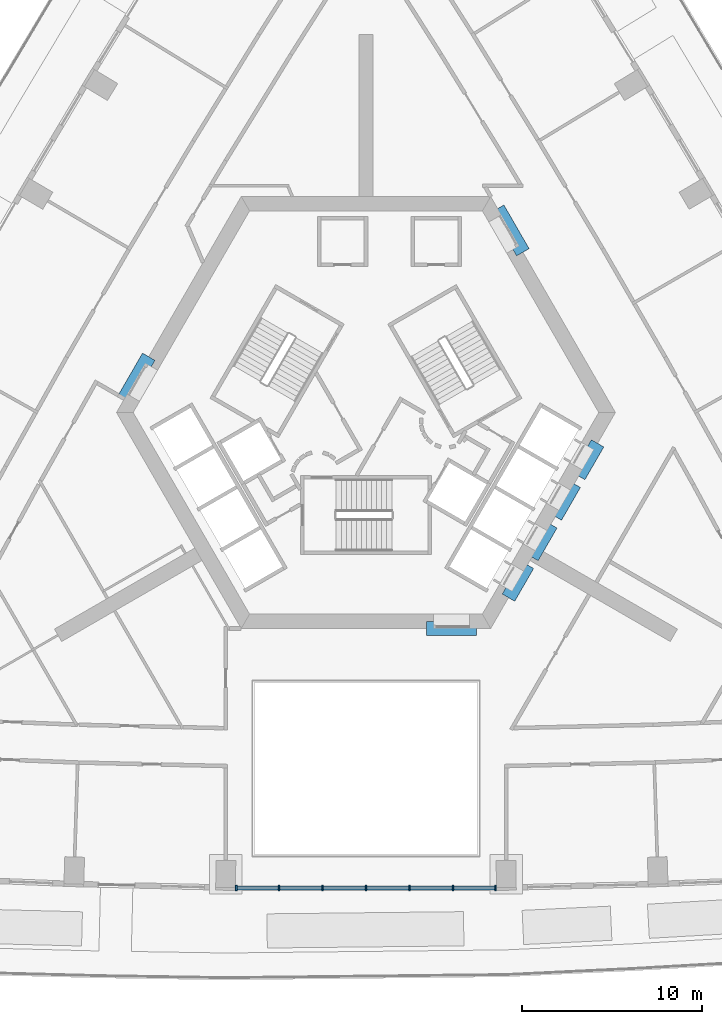
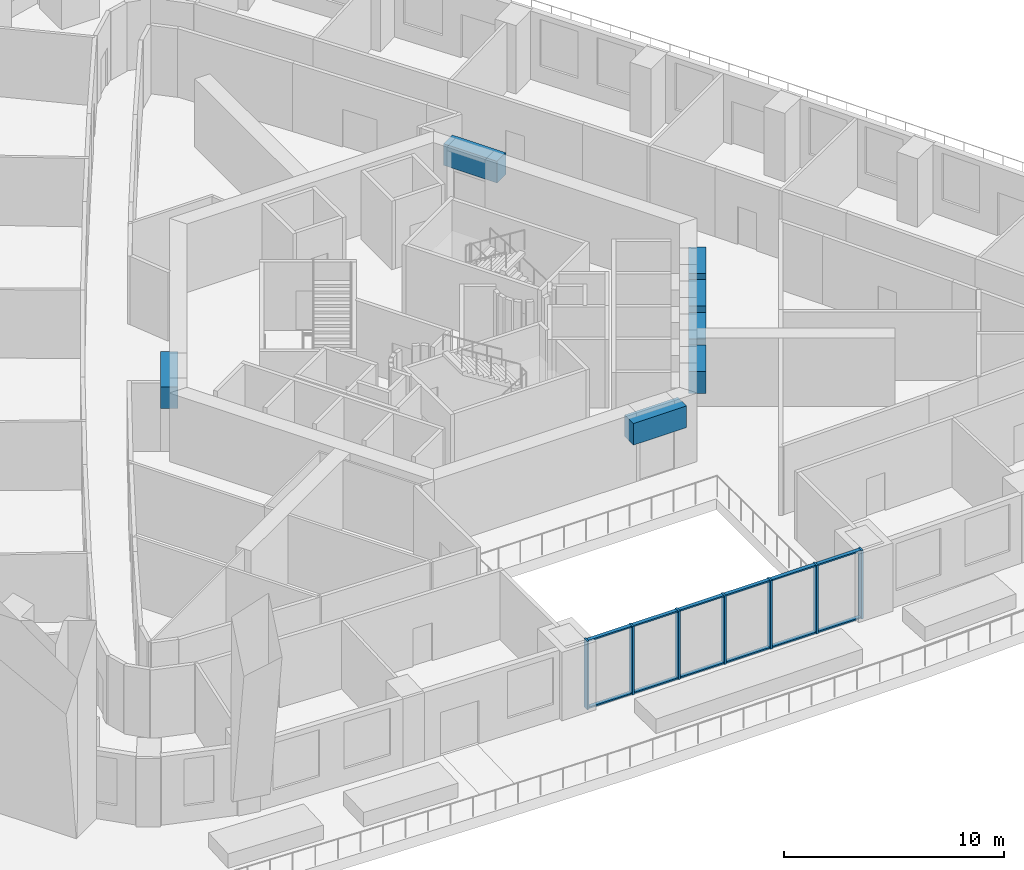
# One storey, part 2 of 16: 19 members, 7 beams, 1 element without a shape of its own.
"""IFC4 building model written with IfcOpenShell, lengths in metres."""

import ifcopenshell
import ifcopenshell.guid

model = None  # the IFC model being written
_history = None  # IfcOwnerHistory: only IFC2X3 demands one
_inside = {}  # id of a spatial element -> (the spatial element, [elements in it])
_under = {}  # id of a project, library or spatial element -> (it, [spatial elements below it])
_declared = {}  # id of a project -> (the project, [libraries it declares])
_typed = {}  # id of a type object -> (the type object, [elements of that type])
_made_of = {}  # id of a material, layer set ... -> (it, [elements and type objects made of it])


def new_model(schema):
    """Start an empty IFC model of exactly this schema.

    Asked for "IFC4X3", IfcOpenShell would pick the latest addendum, in which some entities
    have other attributes; the version numbers below select the first issue.
    IFC2X3 requires an IfcOwnerHistory on every rooted entity: one is made here for all.
    """
    global model, _history
    if schema == "IFC4X3":
        model = ifcopenshell.file(schema_version=(4, 3, 0, 0))
    else:
        model = ifcopenshell.file(schema=schema)
    _inside.clear()
    _under.clear()
    _declared.clear()
    _typed.clear()
    _made_of.clear()
    _history = None
    if model.schema == "IFC2X3":
        org = make("IfcOrganization", Name="unknown")
        user = make(
            "IfcPersonAndOrganization",
            ThePerson=make("IfcPerson", FamilyName="unknown"),
            TheOrganization=org,
        )
        app = make(
            "IfcApplication",
            ApplicationDeveloper=org,
            Version="unknown",
            ApplicationFullName="unknown",
            ApplicationIdentifier="unknown",
        )
        _history = make(
            "IfcOwnerHistory",
            OwningUser=user,
            OwningApplication=app,
            ChangeAction="ADDED",
            CreationDate=0,
        )
    return model


def make(cls, **values):
    """One entity of the class cls with the attributes given. An attribute that is None is left unset."""
    return model.create_entity(
        cls, **{name: value for name, value in values.items() if value is not None}
    )


def rooted(cls, **values):
    """An entity with a GlobalId (a new one), such as an element, a storey or a relation."""
    return make(cls, GlobalId=ifcopenshell.guid.new(), OwnerHistory=_history, **values)


def si_unit(unit_type, name, prefix=None):
    """IfcSIUnit, for example si_unit("LENGTHUNIT", "METRE", prefix="MILLI")."""
    return make("IfcSIUnit", UnitType=unit_type, Prefix=prefix, Name=name)


def assignment(units):
    """IfcUnitAssignment: the units of a project."""
    return None if units is None else make("IfcUnitAssignment", Units=units)


def point(xyz):
    """IfcCartesianPoint."""
    return None if xyz is None else make("IfcCartesianPoint", Coordinates=xyz)


def direction(xyz):
    """IfcDirection."""
    return None if xyz is None else make("IfcDirection", DirectionRatios=xyz)


def frame(location, z_axis=None, x_axis=None):
    """IfcAxis2Placement3D, a coordinate frame: its origin and axes. An axis left out is left unset."""
    return make(
        "IfcAxis2Placement3D",
        Location=point(location),
        Axis=direction(z_axis),
        RefDirection=direction(x_axis),
    )


def frame_2d(location, x_axis=None):
    """IfcAxis2Placement2D, a coordinate frame in the plane: its origin and x axis."""
    return make(
        "IfcAxis2Placement2D", Location=point(location), RefDirection=direction(x_axis)
    )


def origin():
    """The frame at (0, 0, 0) with its axes left unset."""
    return frame((0.0, 0.0, 0.0))


def origin_2d():
    """The frame at (0, 0) in the plane with its x axis left unset."""
    return frame_2d((0.0, 0.0))


def place(relative_to, where):
    """IfcLocalPlacement: puts the frame where relative to a parent placement (None: the world)."""
    return make(
        "IfcLocalPlacement", PlacementRelTo=relative_to, RelativePlacement=where
    )


def context(
    kind, dimensions, precision=None, world=None, true_north=None, identifier=None
):
    """IfcGeometricRepresentationContext, for example the 3D "Model" context."""
    return make(
        "IfcGeometricRepresentationContext",
        ContextIdentifier=identifier,
        ContextType=kind,
        CoordinateSpaceDimension=dimensions,
        Precision=precision,
        WorldCoordinateSystem=world,
        TrueNorth=true_north,
    )


def subcontext(parent, identifier, kind, view, scale=None):
    """IfcGeometricRepresentationSubContext, for example "Body" below "Model"."""
    return make(
        "IfcGeometricRepresentationSubContext",
        ContextIdentifier=identifier,
        ContextType=kind,
        ParentContext=parent,
        TargetScale=scale,
        TargetView=view,
    )


def project(units=None, contexts=None):
    """IfcProject with its units and contexts."""
    return rooted(
        "IfcProject",
        Name="project",
        RepresentationContexts=contexts,
        UnitsInContext=assignment(units),
    )


def spatial(cls, under=None, at=None, **own):
    """A site, building, storey or space (cls), placed at a placement, below another one or the project."""
    s = rooted(cls, ObjectPlacement=at, **own)
    if under is not None:
        _under.setdefault(under.id(), (under, []))[1].append(s)
    return s


def profile(cls, at=None, kind="AREA", **sizes):
    """A parametric profile (cls). Its sizes go by their IFC names, for example OverallWidth=200.0."""
    return make(cls, ProfileType=kind, Position=at, **sizes)


def rectangle(**sizes):
    """IfcRectangleProfileDef."""
    return profile("IfcRectangleProfileDef", **sizes)


def extrude(swept, where, along, depth):
    """IfcExtrudedAreaSolid: the profile swept, set in the frame where, extruded along a direction by depth."""
    return make(
        "IfcExtrudedAreaSolid",
        SweptArea=swept,
        Position=where,
        ExtrudedDirection=direction(along),
        Depth=depth,
    )


def shape(context_of_items, identifier, shape_type, items):
    """IfcShapeRepresentation: the items that make up one representation, for example the "Body"."""
    return make(
        "IfcShapeRepresentation",
        ContextOfItems=context_of_items,
        RepresentationIdentifier=identifier,
        RepresentationType=shape_type,
        Items=items,
    )


def material(Name=None, Category=None):
    """IfcMaterial."""
    return make("IfcMaterial", Name=Name, Category=Category)


def material_profile(
    of_material, cross_section, Name=None, Category=None, Priority=None
):
    """IfcMaterialProfile: a cross section and its material."""
    return make(
        "IfcMaterialProfile",
        Name=Name,
        Material=of_material,
        Profile=cross_section,
        Priority=Priority,
        Category=Category,
    )


def profile_set(profiles, Name=None, composite=None):
    """IfcMaterialProfileSet."""
    return make(
        "IfcMaterialProfileSet",
        Name=Name,
        MaterialProfiles=profiles,
        CompositeProfile=composite,
    )


def made_of(thing, what):
    """Note that an element or type object is made of a material, layer set ...; save() writes the relation."""
    if what is not None:
        _made_of.setdefault(what.id(), (what, []))[1].append(thing)
    return thing


def type_object(cls, material=None, **own):
    """A type object (cls), such as IfcWallType, which elements share."""
    return made_of(rooted(cls, **own), material)


def element(
    cls,
    number,
    at=None,
    inside=None,
    cuts=None,
    type_object=None,
    material=None,
    context=None,
    identifier="Body",
    shape_type=None,
    held_by="IfcProductDefinitionShape",
    body=None,
    shapes=None,
    **own,
):
    """One element of the class cls, such as IfcWall. Its Tag is "e" and its number.

    at: its placement. inside: the storey or other place that contains it. cuts: it is an
    opening in that element (IfcRelVoidsElement). A single representation is given by context,
    identifier, shape_type and body (its items); several are given by shapes. held_by: the class
    of the entity that holds the representations. save() writes the other relations.
    """
    e = rooted(cls, Tag="e%d" % number, ObjectPlacement=at, **own)
    if body is not None:
        shapes = [shape(context, identifier, shape_type, body)]
    if shapes is not None:
        e.Representation = make(held_by, Representations=shapes)
    if inside is not None:
        _inside.setdefault(inside.id(), (inside, []))[1].append(e)
    if cuts is not None:
        rooted(
            "IfcRelVoidsElement", RelatingBuildingElement=cuts, RelatedOpeningElement=e
        )
    if type_object is not None:
        _typed.setdefault(type_object.id(), (type_object, []))[1].append(e)
    return made_of(e, material)


def aggregate(whole, parts):
    """IfcRelAggregates: a whole, such as a stair, and the parts it consists of."""
    return rooted("IfcRelAggregates", RelatingObject=whole, RelatedObjects=parts)


def save(model, path):
    """Write the relations noted so far, then the file.

    IfcRelAggregates (storeys below a building ...), IfcRelContainedInSpatialStructure (elements
    in a storey), IfcRelDefinesByType, IfcRelAssociatesMaterial and IfcRelDeclares: one each for
    every whole, place, type object, material and project.
    """
    for whole, parts in _under.values():
        aggregate(whole, parts)
    for where, things in _inside.values():
        rooted(
            "IfcRelContainedInSpatialStructure",
            RelatedElements=things,
            RelatingStructure=where,
        )
    for kind, things in _typed.values():
        rooted("IfcRelDefinesByType", RelatedObjects=things, RelatingType=kind)
    for what, things in _made_of.values():
        rooted("IfcRelAssociatesMaterial", RelatedObjects=things, RelatingMaterial=what)
    for by, libraries in _declared.values():
        rooted("IfcRelDeclares", RelatingContext=by, RelatedDefinitions=libraries)
    model.write(path)


model = new_model("IFC4")

# Units and contexts
model_context = context("Model", 3, precision=1e-05, world=origin(), true_north=direction((0.0, 1.0)))
body_context = subcontext(model_context, "Body", "Model", "MODEL_VIEW")
ifc_project = project(units=[si_unit("LENGTHUNIT", "METRE"), si_unit("AREAUNIT", "SQUARE_METRE"), si_unit("VOLUMEUNIT", "CUBIC_METRE"), si_unit("PLANEANGLEUNIT", "RADIAN"), si_unit("MASSUNIT", "GRAM", prefix="KILO")], contexts=[model_context])

# Site, building, storey
site_placement = place(None, origin())
site = spatial("IfcSite", under=ifc_project, at=site_placement, CompositionType="ELEMENT")
building_placement = place(site_placement, origin())
building = spatial("IfcBuilding", under=site, at=building_placement, Name="Entoto Arch Interchange Tower", CompositionType="ELEMENT")
storey_placement = place(building_placement, frame((0.0, 0.0, 138.199951171875)))
storey = spatial("IfcBuildingStorey", under=building, at=storey_placement, Name="L30", CompositionType="ELEMENT", Elevation=138.199951171875)

# Beams
ifc_material_1 = material(Name="Concrete C50/60", Category="concrete")
ifc_material_profile_1 = material_profile(ifc_material_1, rectangle(XDim=0.800048828125, YDim=1.199951171875, at=origin_2d()))
ifc_profile_set_1 = profile_set([ifc_material_profile_1], Name="Concrete C50/60")
beam_type = type_object("IfcBeamType", Name="Coupling beam RC 800x1200 C50/60", PredefinedType="BEAM", material=ifc_profile_set_1)
for number, where, z_axis, x_axis, name in (
    (1, (8.717041015625, 11.402099609375, 3.0), (-0.500200581029, 0.865909567298, 0.0), (-0.865909567298, -0.500200581029, 0.0), "Coupling beam NE L30"),
    (2, (-12.06689453125, 5.597900390625, 3.0), (-0.500200581029, -0.865909567298, 0.0), (0.865909567298, -0.500200581029, 0.0), "Coupling beam NW L30"),
):
    element("IfcBeam", number, at=place(storey_placement, frame(where, z_axis=z_axis, x_axis=x_axis)), inside=storey, type_object=beam_type, Name=name, PredefinedType="BEAM", context=body_context, shape_type="SweptSolid", body=[
        extrude(rectangle(XDim=0.800048828125, YDim=1.199951171875, at=origin_2d()), origin(), (0.0, 0.0, 1.0), 2.799072265625),
    ])
beam_1_placement = place(storey_placement, frame((3.35009765625, -9.5, 3.0), z_axis=(1.0, 0.0, 0.0), x_axis=(0.0, 1.0, 0.0)))
element("IfcBeam", 3, at=beam_1_placement, inside=storey, type_object=beam_type, Name="Coupling beam S L30", PredefinedType="BEAM", context=body_context, shape_type="SweptSolid", body=[
    extrude(rectangle(XDim=0.800048828125, YDim=1.199951171875, at=origin_2d()), origin(), (0.0, 0.0, 1.0), 2.7998046875),
])
for number, where, z_axis, x_axis, name in (
    (4, (7.9169921875, -7.785888671875, 3.0), (0.500178781653, 0.865922159541, 0.0), (-0.865922159541, 0.500178781653, 0.0), "Coupling beam SE L30"),
    (5, (9.217041015625, -5.534912109375, 3.0), (0.500178781653, 0.865922159541, 0.0), (-0.865922159541, 0.500178781653, 0.0), "Coupling beam SE L30"),
):
    element("IfcBeam", number, at=place(storey_placement, frame(where, z_axis=z_axis, x_axis=x_axis)), inside=storey, type_object=beam_type, Name=name, PredefinedType="BEAM", context=body_context, shape_type="SweptSolid", body=[
        extrude(rectangle(XDim=0.800048828125, YDim=1.199951171875, at=origin_2d()), origin(), (0.0, 0.0, 1.0), 2.099365234375),
    ])
beam_2_placement = place(storey_placement, frame((10.51708984375, -3.282958984375, 3.0), z_axis=(0.500091574638, 0.865972526687, 0.0), x_axis=(-0.865972526687, 0.500091574638, 0.0)))
element("IfcBeam", 6, at=beam_2_placement, inside=storey, type_object=beam_type, Name="Coupling beam SE L30", PredefinedType="BEAM", context=body_context, shape_type="SweptSolid", body=[
    extrude(rectangle(XDim=0.800048828125, YDim=1.199951171875, at=origin_2d()), origin(), (0.0, 0.0, 1.0), 2.09912109375),
])
beam_3_placement = place(storey_placement, frame((11.81689453125, -1.031982421875, 3.0), z_axis=(0.500178781653, 0.865922159541, 0.0), x_axis=(-0.865922159541, 0.500178781653, 0.0)))
element("IfcBeam", 7, at=beam_3_placement, inside=storey, type_object=beam_type, Name="Coupling beam SE L30", PredefinedType="BEAM", context=body_context, shape_type="SweptSolid", body=[
    extrude(rectangle(XDim=0.800048828125, YDim=1.199951171875, at=origin_2d()), origin(), (0.0, 0.0, 1.0), 2.099365234375),
])

# Curtain wall, members
ifc_material_2 = material(Name="Aluminium, anodised", Category="aluminium")
curtain_wall_type = type_object("IfcCurtainWallType", Name="CURTAIN WALL ATRIUM", PredefinedType="NOTDEFINED", material=ifc_material_2)
curtain_wall_placement = place(storey_placement, origin())
curtain_wall = element("IfcCurtainWall", 8, at=curtain_wall_placement, inside=storey, type_object=curtain_wall_type, Name="Atrium glazing S-03 L30", PredefinedType="NOTDEFINED")
ifc_material_profile_2 = material_profile(ifc_material_2, rectangle(XDim=0.300048828125, YDim=0.10009765625, at=origin_2d()))
ifc_profile_set_2 = profile_set([ifc_material_profile_2], Name="Aluminium, anodised")
member_type_1 = type_object("IfcMemberType", Name="MULLION ATRIUM 100x300", PredefinedType="MULLION", material=ifc_profile_set_2)
member_1_placement = place(storey_placement, frame((-7.198974609375, -23.916015625, 0.0), z_axis=(0.0, 0.0, 1.0), x_axis=(0.0, 1.0, 0.0)))
member_1 = element("IfcMember", 9, at=member_1_placement, type_object=member_type_1, Name="CWA mullion 1", PredefinedType="MULLION", context=body_context, shape_type="SweptSolid", body=[
    extrude(rectangle(XDim=0.300048828125, YDim=0.10009765625, at=origin_2d()), origin(), (0.0, 0.0, 1.0), 3.800048828125),
])
member_2_placement = place(storey_placement, frame((-4.832763671875, -23.916015625, 0.0), z_axis=(0.0, 0.0, 1.0), x_axis=(0.0, 1.0, 0.0)))
member_2 = element("IfcMember", 10, at=member_2_placement, type_object=member_type_1, Name="CWA mullion 2", PredefinedType="MULLION", context=body_context, shape_type="SweptSolid", body=[
    extrude(rectangle(XDim=0.300048828125, YDim=0.10009765625, at=origin_2d()), origin(), (0.0, 0.0, 1.0), 3.800048828125),
])
member_3_placement = place(storey_placement, frame((-2.416259765625, -23.916015625, 0.0), z_axis=(0.0, 0.0, 1.0), x_axis=(0.0, 1.0, 0.0)))
member_3 = element("IfcMember", 11, at=member_3_placement, type_object=member_type_1, Name="CWA mullion 3", PredefinedType="MULLION", context=body_context, shape_type="SweptSolid", body=[
    extrude(rectangle(XDim=0.300048828125, YDim=0.10009765625, at=origin_2d()), origin(), (0.0, 0.0, 1.0), 3.800048828125),
])
member_4_placement = place(storey_placement, frame((0.0, -23.916015625, 0.0), z_axis=(0.0, 0.0, 1.0), x_axis=(0.0, 1.0, 0.0)))
member_4 = element("IfcMember", 12, at=member_4_placement, type_object=member_type_1, Name="CWA mullion 4", PredefinedType="MULLION", context=body_context, shape_type="SweptSolid", body=[
    extrude(rectangle(XDim=0.300048828125, YDim=0.10009765625, at=origin_2d()), origin(), (0.0, 0.0, 1.0), 3.800048828125),
])
member_5_placement = place(storey_placement, frame((2.416259765625, -23.916015625, 0.0), z_axis=(0.0, 0.0, 1.0), x_axis=(0.0, 1.0, 0.0)))
member_5 = element("IfcMember", 13, at=member_5_placement, type_object=member_type_1, Name="CWA mullion 5", PredefinedType="MULLION", context=body_context, shape_type="SweptSolid", body=[
    extrude(rectangle(XDim=0.300048828125, YDim=0.10009765625, at=origin_2d()), origin(), (0.0, 0.0, 1.0), 3.800048828125),
])
member_6_placement = place(storey_placement, frame((4.832763671875, -23.916015625, 0.0), z_axis=(0.0, 0.0, 1.0), x_axis=(0.0, 1.0, 0.0)))
member_6 = element("IfcMember", 14, at=member_6_placement, type_object=member_type_1, Name="CWA mullion 6", PredefinedType="MULLION", context=body_context, shape_type="SweptSolid", body=[
    extrude(rectangle(XDim=0.300048828125, YDim=0.10009765625, at=origin_2d()), origin(), (0.0, 0.0, 1.0), 3.800048828125),
])
member_7_placement = place(storey_placement, frame((7.198974609375, -23.916015625, 0.0), z_axis=(0.0, 0.0, 1.0), x_axis=(0.0, 1.0, 0.0)))
member_7 = element("IfcMember", 15, at=member_7_placement, type_object=member_type_1, Name="CWA mullion 7", PredefinedType="MULLION", context=body_context, shape_type="SweptSolid", body=[
    extrude(rectangle(XDim=0.300048828125, YDim=0.10009765625, at=origin_2d()), origin(), (0.0, 0.0, 1.0), 3.800048828125),
])
ifc_material_profile_3 = material_profile(ifc_material_2, rectangle(XDim=0.199951171875, YDim=0.080078125, at=origin_2d()))
ifc_profile_set_3 = profile_set([ifc_material_profile_3], Name="Aluminium, anodised")
member_type_2 = type_object("IfcMemberType", Name="TRANSOM ATRIUM 80x200", PredefinedType="USERDEFINED", material=ifc_profile_set_3)
member_8_placement = place(storey_placement, frame((-7.14892578125, -23.916015625, 0.0400390625), z_axis=(1.0, 0.0, 0.0), x_axis=(0.0, 1.0, 0.0)))
member_8 = element("IfcMember", 16, at=member_8_placement, type_object=member_type_2, Name="CWA transom 1.1", ObjectType="TRANSOM", PredefinedType="USERDEFINED", context=body_context, shape_type="SweptSolid", body=[
    extrude(rectangle(XDim=0.199951171875, YDim=0.080078125, at=origin_2d()), origin(), (0.0, 0.0, 1.0), 2.266357421875),
])
member_9_placement = place(storey_placement, frame((-7.14892578125, -23.916015625, 3.760009765625), z_axis=(1.0, 0.0, 0.0), x_axis=(0.0, 1.0, 0.0)))
member_9 = element("IfcMember", 17, at=member_9_placement, type_object=member_type_2, Name="CWA transom 1.2", ObjectType="TRANSOM", PredefinedType="USERDEFINED", context=body_context, shape_type="SweptSolid", body=[
    extrude(rectangle(XDim=0.199951171875, YDim=0.080078125, at=origin_2d()), origin(), (0.0, 0.0, 1.0), 2.266357421875),
])
member_10_placement = place(storey_placement, frame((-4.78271484375, -23.916015625, 0.0400390625), z_axis=(1.0, 0.0, 0.0), x_axis=(0.0, 1.0, 0.0)))
member_10 = element("IfcMember", 18, at=member_10_placement, type_object=member_type_2, Name="CWA transom 2.1", ObjectType="TRANSOM", PredefinedType="USERDEFINED", context=body_context, shape_type="SweptSolid", body=[
    extrude(rectangle(XDim=0.199951171875, YDim=0.080078125, at=origin_2d()), origin(), (0.0, 0.0, 1.0), 2.31640625),
])
member_11_placement = place(storey_placement, frame((-4.78271484375, -23.916015625, 3.760009765625), z_axis=(1.0, 0.0, 0.0), x_axis=(0.0, 1.0, 0.0)))
member_11 = element("IfcMember", 19, at=member_11_placement, type_object=member_type_2, Name="CWA transom 2.2", ObjectType="TRANSOM", PredefinedType="USERDEFINED", context=body_context, shape_type="SweptSolid", body=[
    extrude(rectangle(XDim=0.199951171875, YDim=0.080078125, at=origin_2d()), origin(), (0.0, 0.0, 1.0), 2.31640625),
])
member_12_placement = place(storey_placement, frame((-2.366455078125, -23.916015625, 0.0400390625), z_axis=(1.0, 0.0, 0.0), x_axis=(0.0, 1.0, 0.0)))
member_12 = element("IfcMember", 20, at=member_12_placement, type_object=member_type_2, Name="CWA transom 3.1", ObjectType="TRANSOM", PredefinedType="USERDEFINED", context=body_context, shape_type="SweptSolid", body=[
    extrude(rectangle(XDim=0.199951171875, YDim=0.080078125, at=origin_2d()), origin(), (0.0, 0.0, 1.0), 2.31640625),
])
member_13_placement = place(storey_placement, frame((-2.366455078125, -23.916015625, 3.760009765625), z_axis=(1.0, 0.0, 0.0), x_axis=(0.0, 1.0, 0.0)))
member_13 = element("IfcMember", 21, at=member_13_placement, type_object=member_type_2, Name="CWA transom 3.2", ObjectType="TRANSOM", PredefinedType="USERDEFINED", context=body_context, shape_type="SweptSolid", body=[
    extrude(rectangle(XDim=0.199951171875, YDim=0.080078125, at=origin_2d()), origin(), (0.0, 0.0, 1.0), 2.31640625),
])
member_14_placement = place(storey_placement, frame((0.050048828125, -23.916015625, 0.0400390625), z_axis=(1.0, 0.0, 0.0), x_axis=(0.0, 1.0, 0.0)))
member_14 = element("IfcMember", 22, at=member_14_placement, type_object=member_type_2, Name="CWA transom 4.1", ObjectType="TRANSOM", PredefinedType="USERDEFINED", context=body_context, shape_type="SweptSolid", body=[
    extrude(rectangle(XDim=0.199951171875, YDim=0.080078125, at=origin_2d()), origin(), (0.0, 0.0, 1.0), 2.31640625),
])
member_15_placement = place(storey_placement, frame((0.050048828125, -23.916015625, 3.760009765625), z_axis=(1.0, 0.0, 0.0), x_axis=(0.0, 1.0, 0.0)))
member_15 = element("IfcMember", 23, at=member_15_placement, type_object=member_type_2, Name="CWA transom 4.2", ObjectType="TRANSOM", PredefinedType="USERDEFINED", context=body_context, shape_type="SweptSolid", body=[
    extrude(rectangle(XDim=0.199951171875, YDim=0.080078125, at=origin_2d()), origin(), (0.0, 0.0, 1.0), 2.31640625),
])
member_16_placement = place(storey_placement, frame((2.46630859375, -23.916015625, 0.0400390625), z_axis=(1.0, 0.0, 0.0), x_axis=(0.0, 1.0, 0.0)))
member_16 = element("IfcMember", 24, at=member_16_placement, type_object=member_type_2, Name="CWA transom 5.1", ObjectType="TRANSOM", PredefinedType="USERDEFINED", context=body_context, shape_type="SweptSolid", body=[
    extrude(rectangle(XDim=0.199951171875, YDim=0.080078125, at=origin_2d()), origin(), (0.0, 0.0, 1.0), 2.31640625),
])
member_17_placement = place(storey_placement, frame((2.46630859375, -23.916015625, 3.760009765625), z_axis=(1.0, 0.0, 0.0), x_axis=(0.0, 1.0, 0.0)))
member_17 = element("IfcMember", 25, at=member_17_placement, type_object=member_type_2, Name="CWA transom 5.2", ObjectType="TRANSOM", PredefinedType="USERDEFINED", context=body_context, shape_type="SweptSolid", body=[
    extrude(rectangle(XDim=0.199951171875, YDim=0.080078125, at=origin_2d()), origin(), (0.0, 0.0, 1.0), 2.31640625),
])
member_18_placement = place(storey_placement, frame((4.882568359375, -23.916015625, 0.0400390625), z_axis=(1.0, 0.0, 0.0), x_axis=(0.0, 1.0, 0.0)))
member_18 = element("IfcMember", 26, at=member_18_placement, type_object=member_type_2, Name="CWA transom 6.1", ObjectType="TRANSOM", PredefinedType="USERDEFINED", context=body_context, shape_type="SweptSolid", body=[
    extrude(rectangle(XDim=0.199951171875, YDim=0.080078125, at=origin_2d()), origin(), (0.0, 0.0, 1.0), 2.266357421875),
])
member_19_placement = place(storey_placement, frame((4.882568359375, -23.916015625, 3.760009765625), z_axis=(1.0, 0.0, 0.0), x_axis=(0.0, 1.0, 0.0)))
member_19 = element("IfcMember", 27, at=member_19_placement, type_object=member_type_2, Name="CWA transom 6.2", ObjectType="TRANSOM", PredefinedType="USERDEFINED", context=body_context, shape_type="SweptSolid", body=[
    extrude(rectangle(XDim=0.199951171875, YDim=0.080078125, at=origin_2d()), origin(), (0.0, 0.0, 1.0), 2.266357421875),
])
aggregate(curtain_wall, [member_1, member_2, member_3, member_4, member_5, member_6, member_7, member_8, member_9, member_10, member_11, member_12, member_13, member_14, member_15, member_16, member_17, member_18, member_19])

save(model, "model.ifc")
